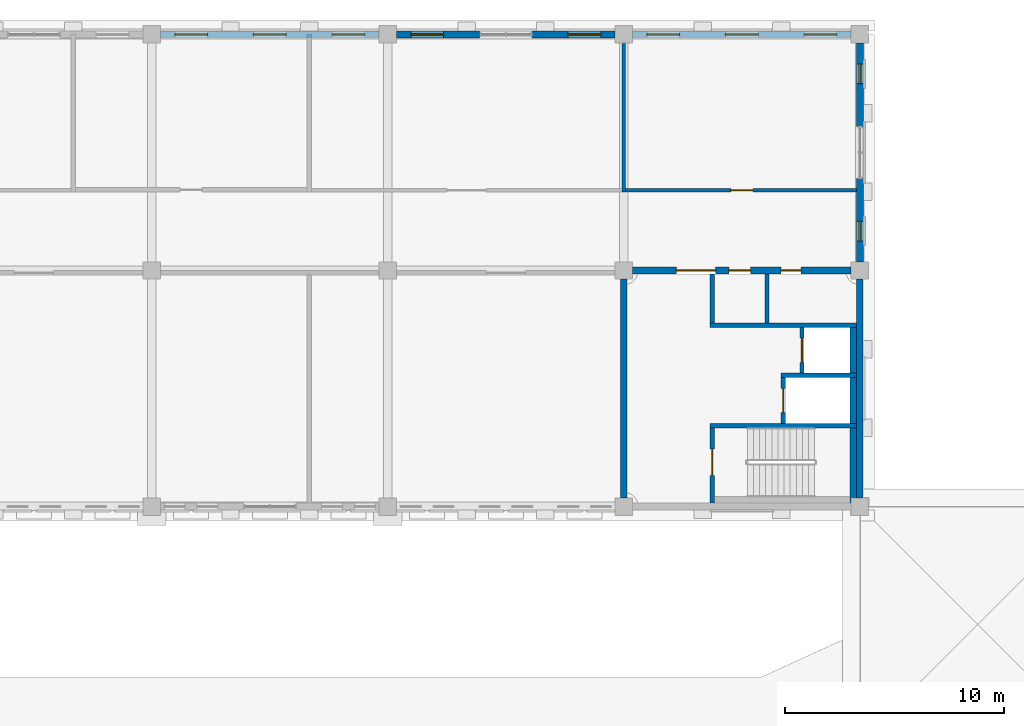
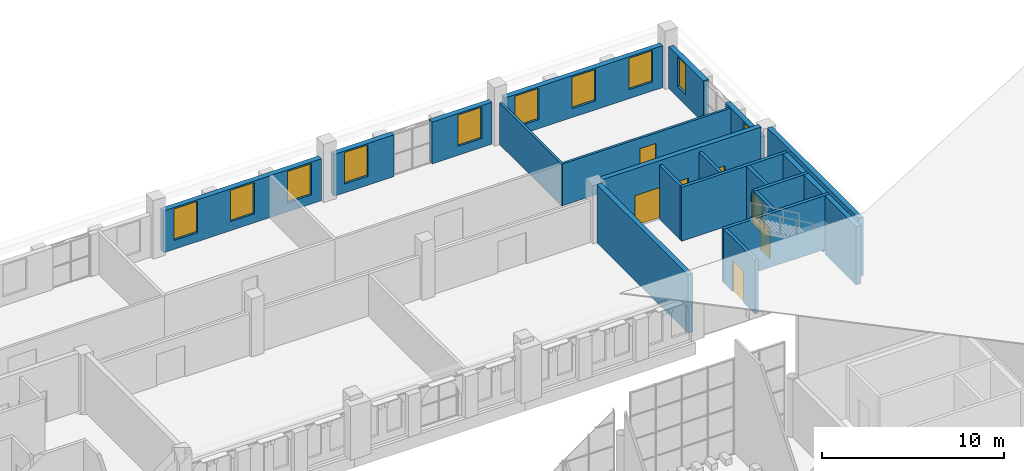
# One storey, part 46 of 56: 22 walls, 10 windows, 7 doors, 17 openings.
"""IFC4 building model written with IfcOpenShell, lengths in metres."""

from ifc_helpers import new_model, si_unit, direction, frame, frame_2d, origin, place, context, subcontext, project, spatial, rectangle, extrude, material, layer, layer_set, type_object, element, fill, save


model = new_model("IFC4")

# Units and contexts
model_context = context("Model", 3, precision=1e-05, world=origin(), true_north=direction((0.0, 1.0)))
body_context = subcontext(model_context, "Body", "Model", "MODEL_VIEW")
ifc_project = project(units=[si_unit("LENGTHUNIT", "METRE"), si_unit("AREAUNIT", "SQUARE_METRE"), si_unit("VOLUMEUNIT", "CUBIC_METRE"), si_unit("PLANEANGLEUNIT", "RADIAN"), si_unit("MASSUNIT", "GRAM", prefix="KILO")], contexts=[model_context])

# Site, building, storey
site_placement = place(None, origin())
site = spatial("IfcSite", under=ifc_project, at=site_placement, CompositionType="ELEMENT")
building_placement = place(site_placement, origin())
building = spatial("IfcBuilding", under=site, at=building_placement, Name="Magnolia Steps Interchange", CompositionType="ELEMENT")
storey_placement = place(building_placement, frame((0.0, 0.0, 8.699951171875)))
storey = spatial("IfcBuildingStorey", under=building, at=storey_placement, Name="L02", CompositionType="ELEMENT", Elevation=8.699951171875)

# Walls
ifc_material_1 = material(Name="Concrete C35", Category="concrete")
ifc_layer_1 = layer(ifc_material_1, 0.199951171875)
ifc_layer_set_1 = layer_set([ifc_layer_1], Name="Core enclosure wall 200")
wall_type_1 = type_object("IfcWallType", Name="Core enclosure wall 200", PredefinedType="SOLIDWALL", material=ifc_layer_set_1)
wall_1_placement = place(storey_placement, frame((111.25, 107.050048828125, 0.0), z_axis=(0.0, 0.0, 1.0), x_axis=(0.0, -1.0, 0.0)))
element("IfcWall", 1, at=wall_1_placement, inside=storey, type_object=wall_type_1, Name="L02 OC-E enclosure wall", PredefinedType="SOLIDWALL", context=body_context, shape_type="SweptSolid", body=[
    extrude(rectangle(XDim=2.25, YDim=0.199951171875, at=frame_2d((1.125, 0.0))), origin(), (0.0, 0.0, 1.0), 3.60009765625),
])
wall_2_placement = place(storey_placement, frame((111.14990234375, 104.699951171875, 0.0), z_axis=(0.0, 0.0, 1.0), x_axis=(1.0, 0.0, 0.0)))
element("IfcWall", 2, at=wall_2_placement, inside=storey, type_object=wall_type_1, Name="L02 OC-E enclosure wall", PredefinedType="SOLIDWALL", context=body_context, shape_type="SweptSolid", body=[
    extrude(rectangle(XDim=6.7001953125, YDim=0.199951171875, at=frame_2d((3.35009765625, 0.0))), origin(), (0.0, 0.0, 1.0), 3.60009765625),
])

# Wall, opening, door
wall_3_placement = place(storey_placement, frame((115.35009765625, 104.60009765625, 0.0), z_axis=(0.0, 0.0, 1.0), x_axis=(0.0, -1.0, 0.0)))
wall_3 = element("IfcWall", 3, at=wall_3_placement, inside=storey, type_object=wall_type_1, Name="L02 OC-E enclosure wall", PredefinedType="SOLIDWALL", context=body_context, shape_type="SweptSolid", body=[
    extrude(rectangle(XDim=2.10009765625, YDim=0.199951171875, at=frame_2d((1.050048828125, 0.0))), origin(), (0.0, 0.0, 1.0), 3.60009765625),
])
opening_1_placement = place(wall_3_placement, frame((0.5, 0.0, 0.0)))
opening_1 = element("IfcOpeningElement", 4, at=opening_1_placement, cuts=wall_3, Name="Opening LD", PredefinedType="OPENING", context=body_context, shape_type="SweptSolid", body=[
    extrude(rectangle(XDim=1.10009765625, YDim=2.10009765625, at=frame_2d((0.550048828125, 1.050048828125))), frame((0.0, 0.10986328125, 0.0), z_axis=(0.0, -1.0, 0.0), x_axis=(1.0, 0.0, 0.0)), (0.0, 0.0, 1.0), 0.219970703125),
])
ifc_material_2 = material(Name="Stainless steel grade 304", Category="steel")
door_type_1 = type_object("IfcDoorType", Name="Lift landing door 1100x2100", OperationType="DOUBLE_DOOR_SLIDING", PredefinedType="DOOR", material=ifc_material_2)
door_1_placement = place(opening_1_placement, frame((1.10009765625, 0.0, 0.0), z_axis=(0.0, 0.0, 1.0), x_axis=(-1.0, 0.0, 0.0)))
door_1 = element("IfcDoor", 5, at=door_1_placement, inside=storey, type_object=door_type_1, Name="Lift landing door LF17 L02", OperationType="DOUBLE_DOOR_SLIDING", OverallHeight=2.10009765625, OverallWidth=1.10009765625, PredefinedType="DOOR", context=body_context, shape_type="SweptSolid", body=[
    extrude(rectangle(XDim=1.10009765625, YDim=2.10009765625, at=frame_2d((0.550048828125, 1.050048828125))), frame((0.0, 0.02490234375, 0.0), z_axis=(0.0, -1.0, 0.0), x_axis=(1.0, 0.0, 0.0)), (0.0, 0.0, 1.0), 0.050048828125),
])
fill(opening_1, door_1)

# Wall
wall_4_placement = place(storey_placement, frame((114.39990234375, 102.39990234375, 0.0), z_axis=(0.0, 0.0, 1.0), x_axis=(1.0, 0.0, 0.0)))
element("IfcWall", 6, at=wall_4_placement, inside=storey, type_object=wall_type_1, Name="L02 OC-E enclosure wall", PredefinedType="SOLIDWALL", context=body_context, shape_type="SweptSolid", body=[
    extrude(rectangle(XDim=3.4501953125, YDim=0.199951171875, at=frame_2d((1.72509765625, 0.0))), origin(), (0.0, 0.0, 1.0), 3.60009765625),
])

# Wall, opening, door
wall_5_placement = place(storey_placement, frame((114.5, 102.300048828125, 0.0), z_axis=(0.0, 0.0, 1.0), x_axis=(0.0, -1.0, 0.0)))
wall_5 = element("IfcWall", 7, at=wall_5_placement, inside=storey, type_object=wall_type_1, Name="L02 OC-E enclosure wall", PredefinedType="SOLIDWALL", context=body_context, shape_type="SweptSolid", body=[
    extrude(rectangle(XDim=2.10009765625, YDim=0.199951171875, at=frame_2d((1.050048828125, 0.0))), origin(), (0.0, 0.0, 1.0), 3.60009765625),
])
opening_2_placement = place(wall_5_placement, frame((0.5, 0.0, 0.0)))
opening_2 = element("IfcOpeningElement", 8, at=opening_2_placement, cuts=wall_5, Name="Opening LD", PredefinedType="OPENING", context=body_context, shape_type="SweptSolid", body=[
    extrude(rectangle(XDim=1.10009765625, YDim=2.10009765625, at=frame_2d((0.550048828125, 1.050048828125))), frame((0.0, 0.10986328125, 0.0), z_axis=(0.0, -1.0, 0.0), x_axis=(1.0, 0.0, 0.0)), (0.0, 0.0, 1.0), 0.219970703125),
])
door_2_placement = place(opening_2_placement, frame((1.10009765625, 0.0, 0.0), z_axis=(0.0, 0.0, 1.0), x_axis=(-1.0, 0.0, 0.0)))
door_2 = element("IfcDoor", 9, at=door_2_placement, inside=storey, type_object=door_type_1, Name="Lift landing door LF18 L02", OperationType="DOUBLE_DOOR_SLIDING", OverallHeight=2.10009765625, OverallWidth=1.10009765625, PredefinedType="DOOR", context=body_context, shape_type="SweptSolid", body=[
    extrude(rectangle(XDim=1.10009765625, YDim=2.10009765625, at=frame_2d((0.550048828125, 1.050048828125))), frame((0.0, 0.02490234375, 0.0), z_axis=(0.0, -1.0, 0.0), x_axis=(1.0, 0.0, 0.0)), (0.0, 0.0, 1.0), 0.050048828125),
])
fill(opening_2, door_2)

# Wall
wall_6_placement = place(storey_placement, frame((111.14990234375, 100.10009765625, 0.0), z_axis=(0.0, 0.0, 1.0), x_axis=(1.0, 0.0, 0.0)))
element("IfcWall", 10, at=wall_6_placement, inside=storey, type_object=wall_type_1, Name="L02 OC-E enclosure wall", PredefinedType="SOLIDWALL", context=body_context, shape_type="SweptSolid", body=[
    extrude(rectangle(XDim=6.7001953125, YDim=0.199951171875, at=frame_2d((3.35009765625, 0.0))), origin(), (0.0, 0.0, 1.0), 3.60009765625),
])

# Wall, opening, door
wall_7_placement = place(storey_placement, frame((111.25, 100.0, 0.0), z_axis=(0.0, 0.0, 1.0), x_axis=(0.0, -1.0, 0.0)))
wall_7 = element("IfcWall", 11, at=wall_7_placement, inside=storey, type_object=wall_type_1, Name="L02 OC-E enclosure wall", PredefinedType="SOLIDWALL", context=body_context, shape_type="SweptSolid", body=[
    extrude(rectangle(XDim=3.449951171875, YDim=0.199951171875, at=frame_2d((1.72509765625, 0.0))), origin(), (0.0, 0.0, 1.0), 3.60009765625),
])
opening_3_placement = place(wall_7_placement, frame((0.97509765625, 0.0, 0.0)))
opening_3 = element("IfcOpeningElement", 12, at=opening_3_placement, cuts=wall_7, Name="Opening D-OC-E-L02-1", PredefinedType="OPENING", context=body_context, shape_type="SweptSolid", body=[
    extrude(rectangle(XDim=1.199951171875, YDim=2.10009765625, at=frame_2d((0.60009765625, 1.050048828125))), frame((0.0, 0.10986328125, 0.0), z_axis=(0.0, -1.0, 0.0), x_axis=(1.0, 0.0, 0.0)), (0.0, 0.0, 1.0), 0.219970703125),
])
ifc_material_3 = material(Name="Painted steel", Category="steel")
door_type_2 = type_object("IfcDoorType", Name="Stair fire door 1200x2100", OperationType="NOTDEFINED", PredefinedType="DOOR", material=ifc_material_3)
door_3_placement = place(opening_3_placement, frame((1.199951171875, 0.0, 0.0), z_axis=(0.0, 0.0, 1.0), x_axis=(-1.0, 0.0, 0.0)))
door_3 = element("IfcDoor", 13, at=door_3_placement, inside=storey, type_object=door_type_2, Name="Stair door ST29 L02", OperationType="SINGLE_SWING_RIGHT", OverallHeight=2.10009765625, OverallWidth=1.199951171875, PredefinedType="DOOR", context=body_context, shape_type="SweptSolid", body=[
    extrude(rectangle(XDim=1.199951171875, YDim=2.10009765625, at=frame_2d((0.60009765625, 1.050048828125))), frame((0.0, 0.02490234375, 0.0), z_axis=(0.0, -1.0, 0.0), x_axis=(1.0, 0.0, 0.0)), (0.0, 0.0, 1.0), 0.050048828125),
])
fill(opening_3, door_3)

# Walls
ifc_material_4 = material(Name="Concrete C35", Category="concrete")
ifc_layer_2 = layer(ifc_material_4, 0.300048828125)
ifc_layer_set_2 = layer_set([ifc_layer_2], Name="Core lining wall 300")
wall_type_2 = type_object("IfcWallType", Name="Core lining wall 300", PredefinedType="SOLIDWALL", material=ifc_layer_set_2)
wall_8_placement = place(storey_placement, frame((117.699951171875, 100.0, -0.300048828125), z_axis=(0.0, 0.0, 1.0), x_axis=(0.0, -1.0, 0.0)))
element("IfcWall", 14, at=wall_8_placement, inside=storey, type_object=wall_type_2, Name="L02 OC-E stair lining wall", PredefinedType="SOLIDWALL", context=body_context, shape_type="SweptSolid", body=[
    extrude(rectangle(XDim=3.449951171875, YDim=0.300048828125, at=frame_2d((1.72509765625, 0.0))), origin(), (0.0, 0.0, 1.0), 3.900146484375),
])
for number, where, z_axis, x_axis, name in (
    (15, (117.699951171875, 104.60009765625, -0.300048828125), (0.0, 0.0, 1.0), (0.0, -1.0, 0.0), "L02 OC-E stair lining wall"),
    (16, (117.699951171875, 102.300048828125, -0.300048828125), (0.0, 0.0, 1.0), (0.0, -1.0, 0.0), "L02 OC-E stair lining wall"),
):
    element("IfcWall", number, at=place(storey_placement, frame(where, z_axis=z_axis, x_axis=x_axis)), inside=storey, type_object=wall_type_2, Name=name, PredefinedType="SOLIDWALL", context=body_context, shape_type="SweptSolid", body=[
        extrude(rectangle(XDim=2.10009765625, YDim=0.300048828125, at=frame_2d((1.050048828125, 0.0))), origin(), (0.0, 0.0, 1.0), 3.900146484375),
    ])
ifc_material_5 = material(Name="Fair-faced blockwork", Category="masonry")
ifc_layer_3 = layer(ifc_material_5, 0.199951171875)
ifc_layer_set_3 = layer_set([ifc_layer_3], Name="Core partition 200")
wall_type_3 = type_object("IfcWallType", Name="Core partition 200", PredefinedType="PARTITIONING", material=ifc_layer_set_3)
wall_9_placement = place(storey_placement, frame((113.75, 107.050048828125, 0.0), z_axis=(0.0, 0.0, 1.0), x_axis=(0.0, -1.0, 0.0)))
element("IfcWall", 17, at=wall_9_placement, inside=storey, type_object=wall_type_3, Name="L02 OC-E toilet partition", PredefinedType="PARTITIONING", context=body_context, shape_type="SweptSolid", body=[
    extrude(rectangle(XDim=2.25, YDim=0.199951171875, at=frame_2d((1.125, 0.0))), origin(), (0.0, 0.0, 1.0), 3.60009765625),
])
ifc_material_6 = material(Name="Concrete C40", Category="concrete")
ifc_layer_4 = layer(ifc_material_6, 0.300048828125)
ifc_layer_set_4 = layer_set([ifc_layer_4], Name="Core wall 300")
wall_type_4 = type_object("IfcWallType", Name="Core wall 300", PredefinedType="SOLIDWALL", material=ifc_layer_set_4)
wall_10_placement = place(storey_placement, frame((118.0, 96.800048828125, 0.0), z_axis=(0.0, 0.0, 1.0), x_axis=(0.0, 1.0, 0.0)))
element("IfcWall", 18, at=wall_10_placement, inside=storey, type_object=wall_type_4, Name="Core wall OC-E", PredefinedType="SOLIDWALL", context=body_context, shape_type="SweptSolid", body=[
    extrude(rectangle(XDim=10.0, YDim=0.300048828125, at=frame_2d((5.0, 0.0))), origin(), (0.0, 0.0, 1.0), 3.900146484375),
])

# Wall, openings, doors
wall_11_placement = place(storey_placement, frame((117.60009765625, 107.199951171875, 0.0), z_axis=(0.0, 0.0, 1.0), x_axis=(-1.0, 0.0, 0.0)))
wall_11 = element("IfcWall", 19, at=wall_11_placement, inside=storey, type_object=wall_type_4, Name="Core wall OC-E", PredefinedType="SOLIDWALL", context=body_context, shape_type="SweptSolid", body=[
    extrude(rectangle(XDim=10.0, YDim=0.300048828125, at=frame_2d((5.0, 0.0))), origin(), (0.0, 0.0, 1.0), 3.900146484375),
])
opening_4_placement = place(wall_11_placement, frame((6.199951171875, 0.0, 0.0)))
opening_4 = element("IfcOpeningElement", 20, at=opening_4_placement, cuts=wall_11, Name="Opening D-OC-E-L02-2", PredefinedType="OPENING", context=body_context, shape_type="SweptSolid", body=[
    extrude(rectangle(XDim=1.800048828125, YDim=2.10009765625, at=frame_2d((0.89990234375, 1.050048828125))), frame((0.0, 0.159912109375, 0.0), z_axis=(0.0, -1.0, 0.0), x_axis=(1.0, 0.0, 0.0)), (0.0, 0.0, 1.0), 0.320068359375),
])
opening_5_placement = place(wall_11_placement, frame((4.60009765625, 0.0, 0.0)))
opening_5 = element("IfcOpeningElement", 21, at=opening_5_placement, cuts=wall_11, Name="Opening D-OC-E-L02-3", PredefinedType="OPENING", context=body_context, shape_type="SweptSolid", body=[
    extrude(rectangle(XDim=1.0, YDim=2.10009765625, at=frame_2d((0.5, 1.050048828125))), frame((0.0, 0.159912109375, 0.0), z_axis=(0.0, -1.0, 0.0), x_axis=(1.0, 0.0, 0.0)), (0.0, 0.0, 1.0), 0.320068359375),
])
opening_6_placement = place(wall_11_placement, frame((2.300048828125, 0.0, 0.0)))
opening_6 = element("IfcOpeningElement", 22, at=opening_6_placement, cuts=wall_11, Name="Opening D-OC-E-L02-4", PredefinedType="OPENING", context=body_context, shape_type="SweptSolid", body=[
    extrude(rectangle(XDim=0.89990234375, YDim=2.10009765625, at=frame_2d((0.449951171875, 1.050048828125))), frame((0.0, 0.159912109375, 0.0), z_axis=(0.0, -1.0, 0.0), x_axis=(1.0, 0.0, 0.0)), (0.0, 0.0, 1.0), 0.320068359375),
])
ifc_material_7 = material(Name="Timber", Category="wood")
door_type_3 = type_object("IfcDoorType", Name="Accessible toilet door 1000x2100", OperationType="NOTDEFINED", PredefinedType="DOOR", material=ifc_material_7)
door_4_placement = place(opening_5_placement, origin())
door_4 = element("IfcDoor", 23, at=door_4_placement, inside=storey, type_object=door_type_3, Name="Accessible Toilet door OC-E L02", OperationType="SINGLE_SWING_RIGHT", OverallHeight=2.10009765625, OverallWidth=1.0, PredefinedType="DOOR", context=body_context, shape_type="SweptSolid", body=[
    extrude(rectangle(XDim=1.0, YDim=2.10009765625, at=frame_2d((0.5, 1.050048828125))), frame((0.0, 0.02490234375, 0.0), z_axis=(0.0, -1.0, 0.0), x_axis=(1.0, 0.0, 0.0)), (0.0, 0.0, 1.0), 0.050048828125),
])
fill(opening_5, door_4)
ifc_material_8 = material(Name="Timber and glass", Category="wood")
door_type_4 = type_object("IfcDoorType", Name="Core entrance door pair 1800x2100", OperationType="DOUBLE_DOOR_DOUBLE_SWING", PredefinedType="DOOR", material=ifc_material_8)
door_5_placement = place(opening_4_placement, frame((1.800048828125, 0.0, 0.0), z_axis=(0.0, 0.0, 1.0), x_axis=(-1.0, 0.0, 0.0)))
door_5 = element("IfcDoor", 24, at=door_5_placement, inside=storey, type_object=door_type_4, Name="Core entrance door OC-E L02", OperationType="DOUBLE_DOOR_DOUBLE_SWING", OverallHeight=2.10009765625, OverallWidth=1.800048828125, PredefinedType="DOOR", context=body_context, shape_type="SweptSolid", body=[
    extrude(rectangle(XDim=1.800048828125, YDim=2.10009765625, at=frame_2d((0.89990234375, 1.050048828125))), frame((0.0, 0.02490234375, 0.0), z_axis=(0.0, -1.0, 0.0), x_axis=(1.0, 0.0, 0.0)), (0.0, 0.0, 1.0), 0.050048828125),
])
fill(opening_4, door_5)
ifc_material_9 = material(Name="Timber", Category="wood")
door_type_5 = type_object("IfcDoorType", Name="Toilet door 900x2100", OperationType="NOTDEFINED", PredefinedType="DOOR", material=ifc_material_9)
door_6_placement = place(opening_6_placement, origin())
door_6 = element("IfcDoor", 25, at=door_6_placement, inside=storey, type_object=door_type_5, Name="Public Toilets door OC-E L02", OperationType="SINGLE_SWING_LEFT", OverallHeight=2.10009765625, OverallWidth=0.89990234375, PredefinedType="DOOR", context=body_context, shape_type="SweptSolid", body=[
    extrude(rectangle(XDim=0.89990234375, YDim=2.10009765625, at=frame_2d((0.449951171875, 1.050048828125))), frame((0.0, 0.02490234375, 0.0), z_axis=(0.0, -1.0, 0.0), x_axis=(1.0, 0.0, 0.0)), (0.0, 0.0, 1.0), 0.050048828125),
])
fill(opening_6, door_6)

# Wall
wall_12_placement = place(storey_placement, frame((107.199951171875, 106.800048828125, 0.0), z_axis=(0.0, 0.0, 1.0), x_axis=(0.0, -1.0, 0.0)))
element("IfcWall", 26, at=wall_12_placement, inside=storey, type_object=wall_type_4, Name="Core wall OC-E", PredefinedType="SOLIDWALL", context=body_context, shape_type="SweptSolid", body=[
    extrude(rectangle(XDim=10.0, YDim=0.300048828125, at=frame_2d((5.0, 0.0))), origin(), (0.0, 0.0, 1.0), 3.900146484375),
])

# Wall, openings, windows
ifc_material_10 = material(Name="Lime render on masonry", Category="masonry")
ifc_layer_5 = layer(ifc_material_10, 0.324951171875)
ifc_layer_set_5 = layer_set([ifc_layer_5], Name="Lime render wall 325")
wall_type_5 = type_object("IfcWallType", Name="Lime render wall 325", PredefinedType="SOLIDWALL", material=ifc_layer_set_5)
wall_13_placement = place(storey_placement, frame((86.0, 118.0, 0.0), z_axis=(0.0, 0.0, 1.0), x_axis=(1.0, 0.0, 0.0)))
wall_13 = element("IfcWall", 27, at=wall_13_placement, inside=storey, type_object=wall_type_5, Name="Operations building north wall L02 pier 3", PredefinedType="SOLIDWALL", context=body_context, shape_type="SweptSolid", body=[
    extrude(rectangle(XDim=10.0, YDim=0.324951171875, at=frame_2d((5.0, 0.0))), origin(), (0.0, 0.0, 1.0), 2.800048828125),
])
opening_7_placement = place(wall_13_placement, frame((0.64990234375, 0.0, 0.60009765625)))
opening_7 = element("IfcOpeningElement", 28, at=opening_7_placement, cuts=wall_13, Name="Opening WN8", PredefinedType="OPENING", context=body_context, shape_type="SweptSolid", body=[
    extrude(rectangle(XDim=1.5, YDim=2.10009765625, at=frame_2d((0.75, 1.050048828125))), frame((0.0, 0.17236328125, 0.0), z_axis=(0.0, -1.0, 0.0), x_axis=(1.0, 0.0, 0.0)), (0.0, 0.0, 1.0), 0.344970703125),
])
opening_8_placement = place(wall_13_placement, frame((4.25, 0.0, 0.60009765625)))
opening_8 = element("IfcOpeningElement", 29, at=opening_8_placement, cuts=wall_13, Name="Opening WN8", PredefinedType="OPENING", context=body_context, shape_type="SweptSolid", body=[
    extrude(rectangle(XDim=1.5, YDim=2.10009765625, at=frame_2d((0.75, 1.050048828125))), frame((0.0, 0.17236328125, 0.0), z_axis=(0.0, -1.0, 0.0), x_axis=(1.0, 0.0, 0.0)), (0.0, 0.0, 1.0), 0.344970703125),
])
opening_9_placement = place(wall_13_placement, frame((7.85009765625, 0.0, 0.60009765625)))
opening_9 = element("IfcOpeningElement", 30, at=opening_9_placement, cuts=wall_13, Name="Opening WN8", PredefinedType="OPENING", context=body_context, shape_type="SweptSolid", body=[
    extrude(rectangle(XDim=1.5, YDim=2.10009765625, at=frame_2d((0.75, 1.050048828125))), frame((0.0, 0.17236328125, 0.0), z_axis=(0.0, -1.0, 0.0), x_axis=(1.0, 0.0, 0.0)), (0.0, 0.0, 1.0), 0.344970703125),
])
ifc_material_11 = material(Name="Timber frame with double glazing", Category="wood")
window_type_1 = type_object("IfcWindowType", Name="Piano nobile window 1500 x 2100", PartitioningType="DOUBLE_PANEL_VERTICAL", PredefinedType="WINDOW", material=ifc_material_11)
window_1_placement = place(opening_7_placement, origin())
window_1 = element("IfcWindow", 31, at=window_1_placement, inside=storey, type_object=window_type_1, Name="Window L02 north 7", OverallHeight=2.10009765625, OverallWidth=1.5, PartitioningType="SINGLE_PANEL", PredefinedType="WINDOW", context=body_context, shape_type="SweptSolid", body=[
    extrude(rectangle(XDim=1.5, YDim=2.10009765625, at=frame_2d((0.75, 1.050048828125))), frame((0.0, 0.030029296875, 0.0), z_axis=(0.0, -1.0, 0.0), x_axis=(1.0, 0.0, 0.0)), (0.0, 0.0, 1.0), 0.06005859375),
])
fill(opening_7, window_1)
window_2_placement = place(opening_8_placement, origin())
window_2 = element("IfcWindow", 32, at=window_2_placement, inside=storey, type_object=window_type_1, Name="Window L02 north 8", OverallHeight=2.10009765625, OverallWidth=1.5, PartitioningType="SINGLE_PANEL", PredefinedType="WINDOW", context=body_context, shape_type="SweptSolid", body=[
    extrude(rectangle(XDim=1.5, YDim=2.10009765625, at=frame_2d((0.75, 1.050048828125))), frame((0.0, 0.030029296875, 0.0), z_axis=(0.0, -1.0, 0.0), x_axis=(1.0, 0.0, 0.0)), (0.0, 0.0, 1.0), 0.06005859375),
])
fill(opening_8, window_2)
window_3_placement = place(opening_9_placement, origin())
window_3 = element("IfcWindow", 33, at=window_3_placement, inside=storey, type_object=window_type_1, Name="Window L02 north 9", OverallHeight=2.10009765625, OverallWidth=1.5, PartitioningType="SINGLE_PANEL", PredefinedType="WINDOW", context=body_context, shape_type="SweptSolid", body=[
    extrude(rectangle(XDim=1.5, YDim=2.10009765625, at=frame_2d((0.75, 1.050048828125))), frame((0.0, 0.030029296875, 0.0), z_axis=(0.0, -1.0, 0.0), x_axis=(1.0, 0.0, 0.0)), (0.0, 0.0, 1.0), 0.06005859375),
])
fill(opening_9, window_3)

# Wall, opening, window
wall_14_placement = place(storey_placement, frame((96.800048828125, 118.0, 0.0), z_axis=(0.0, 0.0, 1.0), x_axis=(1.0, 0.0, 0.0)))
wall_14 = element("IfcWall", 34, at=wall_14_placement, inside=storey, type_object=wall_type_5, Name="Operations building north wall L02 pier 3", PredefinedType="SOLIDWALL", context=body_context, shape_type="SweptSolid", body=[
    extrude(rectangle(XDim=3.800048828125, YDim=0.324951171875, at=frame_2d((1.89990234375, 0.0))), origin(), (0.0, 0.0, 1.0), 2.800048828125),
])
opening_10_placement = place(wall_14_placement, frame((0.64990234375, 0.0, 0.60009765625)))
opening_10 = element("IfcOpeningElement", 35, at=opening_10_placement, cuts=wall_14, Name="Opening WN8", PredefinedType="OPENING", context=body_context, shape_type="SweptSolid", body=[
    extrude(rectangle(XDim=1.5, YDim=2.10009765625, at=frame_2d((0.75, 1.050048828125))), frame((0.0, 0.17236328125, 0.0), z_axis=(0.0, -1.0, 0.0), x_axis=(1.0, 0.0, 0.0)), (0.0, 0.0, 1.0), 0.344970703125),
])
window_4_placement = place(opening_10_placement, origin())
window_4 = element("IfcWindow", 36, at=window_4_placement, inside=storey, type_object=window_type_1, Name="Window L02 north 10", OverallHeight=2.10009765625, OverallWidth=1.5, PartitioningType="SINGLE_PANEL", PredefinedType="WINDOW", context=body_context, shape_type="SweptSolid", body=[
    extrude(rectangle(XDim=1.5, YDim=2.10009765625, at=frame_2d((0.75, 1.050048828125))), frame((0.0, 0.030029296875, 0.0), z_axis=(0.0, -1.0, 0.0), x_axis=(1.0, 0.0, 0.0)), (0.0, 0.0, 1.0), 0.06005859375),
])
fill(opening_10, window_4)

wall_15_placement = place(storey_placement, frame((103.0, 118.0, 0.0), z_axis=(0.0, 0.0, 1.0), x_axis=(1.0, 0.0, 0.0)))
wall_15 = element("IfcWall", 37, at=wall_15_placement, inside=storey, type_object=wall_type_5, Name="Operations building north wall L02 pier 5", PredefinedType="SOLIDWALL", context=body_context, shape_type="SweptSolid", body=[
    extrude(rectangle(XDim=3.800048828125, YDim=0.324951171875, at=frame_2d((1.89990234375, 0.0))), origin(), (0.0, 0.0, 1.0), 2.800048828125),
])
opening_11_placement = place(wall_15_placement, frame((1.64990234375, 0.0, 0.60009765625)))
opening_11 = element("IfcOpeningElement", 38, at=opening_11_placement, cuts=wall_15, Name="Opening WN8", PredefinedType="OPENING", context=body_context, shape_type="SweptSolid", body=[
    extrude(rectangle(XDim=1.5, YDim=2.10009765625, at=frame_2d((0.75, 1.050048828125))), frame((0.0, 0.17236328125, 0.0), z_axis=(0.0, -1.0, 0.0), x_axis=(1.0, 0.0, 0.0)), (0.0, 0.0, 1.0), 0.344970703125),
])
window_5_placement = place(opening_11_placement, origin())
window_5 = element("IfcWindow", 39, at=window_5_placement, inside=storey, type_object=window_type_1, Name="Window L02 north 12", OverallHeight=2.10009765625, OverallWidth=1.5, PartitioningType="SINGLE_PANEL", PredefinedType="WINDOW", context=body_context, shape_type="SweptSolid", body=[
    extrude(rectangle(XDim=1.5, YDim=2.10009765625, at=frame_2d((0.75, 1.050048828125))), frame((0.0, 0.030029296875, 0.0), z_axis=(0.0, -1.0, 0.0), x_axis=(1.0, 0.0, 0.0)), (0.0, 0.0, 1.0), 0.06005859375),
])
fill(opening_11, window_5)

# Wall, openings, windows
wall_16_placement = place(storey_placement, frame((107.60009765625, 118.0, 0.0), z_axis=(0.0, 0.0, 1.0), x_axis=(1.0, 0.0, 0.0)))
wall_16 = element("IfcWall", 40, at=wall_16_placement, inside=storey, type_object=wall_type_5, Name="Operations building north wall L02 pier 5", PredefinedType="SOLIDWALL", context=body_context, shape_type="SweptSolid", body=[
    extrude(rectangle(XDim=10.0, YDim=0.324951171875, at=frame_2d((5.0, 0.0))), origin(), (0.0, 0.0, 1.0), 2.800048828125),
])
opening_12_placement = place(wall_16_placement, frame((0.64990234375, 0.0, 0.60009765625)))
opening_12 = element("IfcOpeningElement", 41, at=opening_12_placement, cuts=wall_16, Name="Opening WN8", PredefinedType="OPENING", context=body_context, shape_type="SweptSolid", body=[
    extrude(rectangle(XDim=1.5, YDim=2.10009765625, at=frame_2d((0.75, 1.050048828125))), frame((0.0, 0.17236328125, 0.0), z_axis=(0.0, -1.0, 0.0), x_axis=(1.0, 0.0, 0.0)), (0.0, 0.0, 1.0), 0.344970703125),
])
opening_13_placement = place(wall_16_placement, frame((4.25, 0.0, 0.60009765625)))
opening_13 = element("IfcOpeningElement", 42, at=opening_13_placement, cuts=wall_16, Name="Opening WN8", PredefinedType="OPENING", context=body_context, shape_type="SweptSolid", body=[
    extrude(rectangle(XDim=1.5, YDim=2.10009765625, at=frame_2d((0.75, 1.050048828125))), frame((0.0, 0.17236328125, 0.0), z_axis=(0.0, -1.0, 0.0), x_axis=(1.0, 0.0, 0.0)), (0.0, 0.0, 1.0), 0.344970703125),
])
opening_14_placement = place(wall_16_placement, frame((7.85009765625, 0.0, 0.60009765625)))
opening_14 = element("IfcOpeningElement", 43, at=opening_14_placement, cuts=wall_16, Name="Opening WN8", PredefinedType="OPENING", context=body_context, shape_type="SweptSolid", body=[
    extrude(rectangle(XDim=1.5, YDim=2.10009765625, at=frame_2d((0.75, 1.050048828125))), frame((0.0, 0.17236328125, 0.0), z_axis=(0.0, -1.0, 0.0), x_axis=(1.0, 0.0, 0.0)), (0.0, 0.0, 1.0), 0.344970703125),
])
window_6_placement = place(opening_12_placement, origin())
window_6 = element("IfcWindow", 44, at=window_6_placement, inside=storey, type_object=window_type_1, Name="Window L02 north 13", OverallHeight=2.10009765625, OverallWidth=1.5, PartitioningType="SINGLE_PANEL", PredefinedType="WINDOW", context=body_context, shape_type="SweptSolid", body=[
    extrude(rectangle(XDim=1.5, YDim=2.10009765625, at=frame_2d((0.75, 1.050048828125))), frame((0.0, 0.030029296875, 0.0), z_axis=(0.0, -1.0, 0.0), x_axis=(1.0, 0.0, 0.0)), (0.0, 0.0, 1.0), 0.06005859375),
])
fill(opening_12, window_6)
window_7_placement = place(opening_13_placement, origin())
window_7 = element("IfcWindow", 45, at=window_7_placement, inside=storey, type_object=window_type_1, Name="Window L02 north 14", OverallHeight=2.10009765625, OverallWidth=1.5, PartitioningType="SINGLE_PANEL", PredefinedType="WINDOW", context=body_context, shape_type="SweptSolid", body=[
    extrude(rectangle(XDim=1.5, YDim=2.10009765625, at=frame_2d((0.75, 1.050048828125))), frame((0.0, 0.030029296875, 0.0), z_axis=(0.0, -1.0, 0.0), x_axis=(1.0, 0.0, 0.0)), (0.0, 0.0, 1.0), 0.06005859375),
])
fill(opening_13, window_7)
window_8_placement = place(opening_14_placement, origin())
window_8 = element("IfcWindow", 46, at=window_8_placement, inside=storey, type_object=window_type_1, Name="Window L02 north 15", OverallHeight=2.10009765625, OverallWidth=1.5, PartitioningType="SINGLE_PANEL", PredefinedType="WINDOW", context=body_context, shape_type="SweptSolid", body=[
    extrude(rectangle(XDim=1.5, YDim=2.10009765625, at=frame_2d((0.75, 1.050048828125))), frame((0.0, 0.030029296875, 0.0), z_axis=(0.0, -1.0, 0.0), x_axis=(1.0, 0.0, 0.0)), (0.0, 0.0, 1.0), 0.06005859375),
])
fill(opening_14, window_8)

# Wall, opening, window
wall_17_placement = place(storey_placement, frame((118.0, 107.60009765625, 0.0), z_axis=(0.0, 0.0, 1.0), x_axis=(0.0, 1.0, 0.0)))
wall_17 = element("IfcWall", 47, at=wall_17_placement, inside=storey, type_object=wall_type_5, Name="Operations building east wall L02 pier 1", PredefinedType="SOLIDWALL", context=body_context, shape_type="SweptSolid", body=[
    extrude(rectangle(XDim=3.7998046875, YDim=0.324951171875, at=frame_2d((1.89990234375, 0.0))), origin(), (0.0, 0.0, 1.0), 2.800048828125),
])
opening_15_placement = place(wall_17_placement, frame((0.949951171875, 0.0, 0.699951171875)))
opening_15 = element("IfcOpeningElement", 48, at=opening_15_placement, cuts=wall_17, Name="Opening WN10", PredefinedType="OPENING", context=body_context, shape_type="SweptSolid", body=[
    extrude(rectangle(XDim=0.89990234375, YDim=2.0, at=frame_2d((0.449951171875, 1.0))), frame((0.0, 0.17236328125, 0.0), z_axis=(0.0, -1.0, 0.0), x_axis=(1.0, 0.0, 0.0)), (0.0, 0.0, 1.0), 0.344970703125),
])
ifc_material_12 = material(Name="Timber frame with double glazing", Category="wood")
window_type_2 = type_object("IfcWindowType", Name="Gable end window 900 x 2000", PartitioningType="SINGLE_PANEL", PredefinedType="WINDOW", material=ifc_material_12)
window_9_placement = place(opening_15_placement, origin())
window_9 = element("IfcWindow", 49, at=window_9_placement, inside=storey, type_object=window_type_2, Name="Window L02 east 1", OverallHeight=2.0, OverallWidth=0.89990234375, PartitioningType="SINGLE_PANEL", PredefinedType="WINDOW", context=body_context, shape_type="SweptSolid", body=[
    extrude(rectangle(XDim=0.89990234375, YDim=2.0, at=frame_2d((0.449951171875, 1.0))), frame((0.0, 0.030029296875, 0.0), z_axis=(0.0, -1.0, 0.0), x_axis=(1.0, 0.0, 0.0)), (0.0, 0.0, 1.0), 0.06005859375),
])
fill(opening_15, window_9)

wall_18_placement = place(storey_placement, frame((118.0, 113.800048828125, 0.0), z_axis=(0.0, 0.0, 1.0), x_axis=(0.0, 1.0, 0.0)))
wall_18 = element("IfcWall", 50, at=wall_18_placement, inside=storey, type_object=wall_type_5, Name="Operations building east wall L02 pier 3", PredefinedType="SOLIDWALL", context=body_context, shape_type="SweptSolid", body=[
    extrude(rectangle(XDim=3.800048828125, YDim=0.324951171875, at=frame_2d((1.89990234375, 0.0))), origin(), (0.0, 0.0, 1.0), 2.800048828125),
])
opening_16_placement = place(wall_18_placement, frame((1.949951171875, 0.0, 0.699951171875)))
opening_16 = element("IfcOpeningElement", 51, at=opening_16_placement, cuts=wall_18, Name="Opening WN10", PredefinedType="OPENING", context=body_context, shape_type="SweptSolid", body=[
    extrude(rectangle(XDim=0.89990234375, YDim=2.0, at=frame_2d((0.449951171875, 1.0))), frame((0.0, 0.17236328125, 0.0), z_axis=(0.0, -1.0, 0.0), x_axis=(1.0, 0.0, 0.0)), (0.0, 0.0, 1.0), 0.344970703125),
])
window_10_placement = place(opening_16_placement, origin())
window_10 = element("IfcWindow", 52, at=window_10_placement, inside=storey, type_object=window_type_2, Name="Window L02 east 3", OverallHeight=2.0, OverallWidth=0.89990234375, PartitioningType="SINGLE_PANEL", PredefinedType="WINDOW", context=body_context, shape_type="SweptSolid", body=[
    extrude(rectangle(XDim=0.89990234375, YDim=2.0, at=frame_2d((0.449951171875, 1.0))), frame((0.0, 0.030029296875, 0.0), z_axis=(0.0, -1.0, 0.0), x_axis=(1.0, 0.0, 0.0)), (0.0, 0.0, 1.0), 0.06005859375),
])
fill(opening_16, window_10)

# Wall, opening, door
ifc_material_13 = material(Name="Fair-faced blockwork", Category="masonry")
ifc_layer_6 = layer(ifc_material_13, 0.14990234375)
ifc_layer_set_6 = layer_set([ifc_layer_6], Name="Partition wall 150")
wall_type_6 = type_object("IfcWallType", Name="Partition wall 150", PredefinedType="PARTITIONING", material=ifc_layer_set_6)
wall_19_placement = place(storey_placement, frame((107.199951171875, 110.875, 0.0), z_axis=(0.0, 0.0, 1.0), x_axis=(1.0, 0.0, 0.0)))
wall_19 = element("IfcWall", 53, at=wall_19_placement, inside=storey, type_object=wall_type_6, Name="L02 partition 17", PredefinedType="PARTITIONING", context=body_context, shape_type="SweptSolid", body=[
    extrude(rectangle(XDim=10.800048828125, YDim=0.14990234375, at=frame_2d((5.39990234375, 0.0))), origin(), (0.0, 0.0, 1.0), 2.800048828125),
])
opening_17_placement = place(wall_19_placement, frame((4.89990234375, 0.0, 0.0)))
opening_17 = element("IfcOpeningElement", 54, at=opening_17_placement, cuts=wall_19, Name="Opening D-L02-11", PredefinedType="OPENING", context=body_context, shape_type="SweptSolid", body=[
    extrude(rectangle(XDim=1.0, YDim=2.10009765625, at=frame_2d((0.5, 1.050048828125))), frame((0.0, 0.0849609375, 0.0), z_axis=(0.0, -1.0, 0.0), x_axis=(1.0, 0.0, 0.0)), (0.0, 0.0, 1.0), 0.169921875),
])
ifc_material_14 = material(Name="Timber", Category="wood")
door_type_6 = type_object("IfcDoorType", Name="Room door 1000x2100", OperationType="NOTDEFINED", PredefinedType="DOOR", material=ifc_material_14)
door_7_placement = place(opening_17_placement, origin())
door_7 = element("IfcDoor", 55, at=door_7_placement, inside=storey, type_object=door_type_6, Name="Staff Rest Room door", OperationType="SINGLE_SWING_LEFT", OverallHeight=2.10009765625, OverallWidth=1.0, PredefinedType="DOOR", context=body_context, shape_type="SweptSolid", body=[
    extrude(rectangle(XDim=1.0, YDim=2.10009765625, at=frame_2d((0.5, 1.050048828125))), frame((0.0, 0.02490234375, 0.0), z_axis=(0.0, -1.0, 0.0), x_axis=(1.0, 0.0, 0.0)), (0.0, 0.0, 1.0), 0.050048828125),
])
fill(opening_17, door_7)

# Wall
wall_20_placement = place(storey_placement, frame((107.199951171875, 110.800048828125, 0.0), z_axis=(0.0, 0.0, 1.0), x_axis=(0.0, 1.0, 0.0)))
element("IfcWall", 56, at=wall_20_placement, inside=storey, type_object=wall_type_6, Name="L02 partition 21", PredefinedType="PARTITIONING", context=body_context, shape_type="SweptSolid", body=[
    extrude(rectangle(XDim=6.780029296875, YDim=0.14990234375, at=frame_2d((3.39013671875, 0.0))), origin(), (0.0, 0.0, 1.0), 2.800048828125),
])

save(model, "model.ifc")
